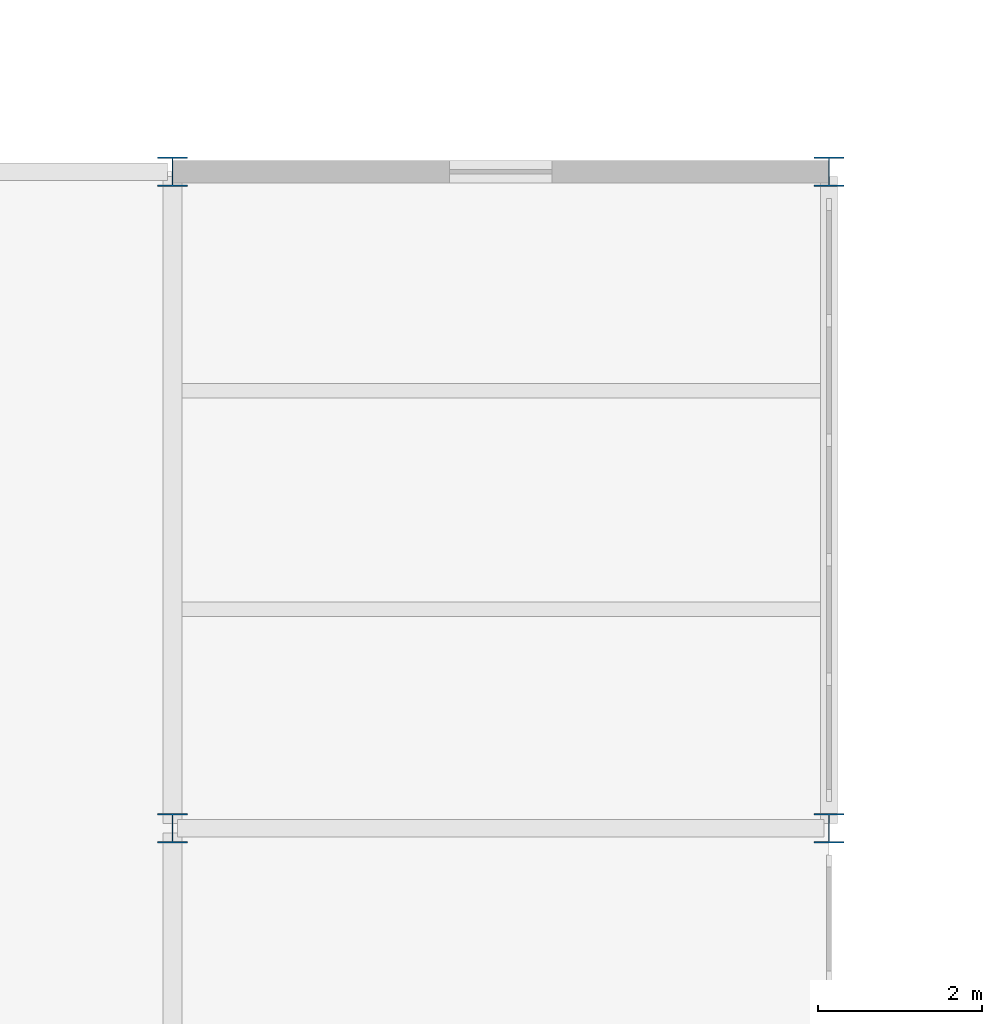
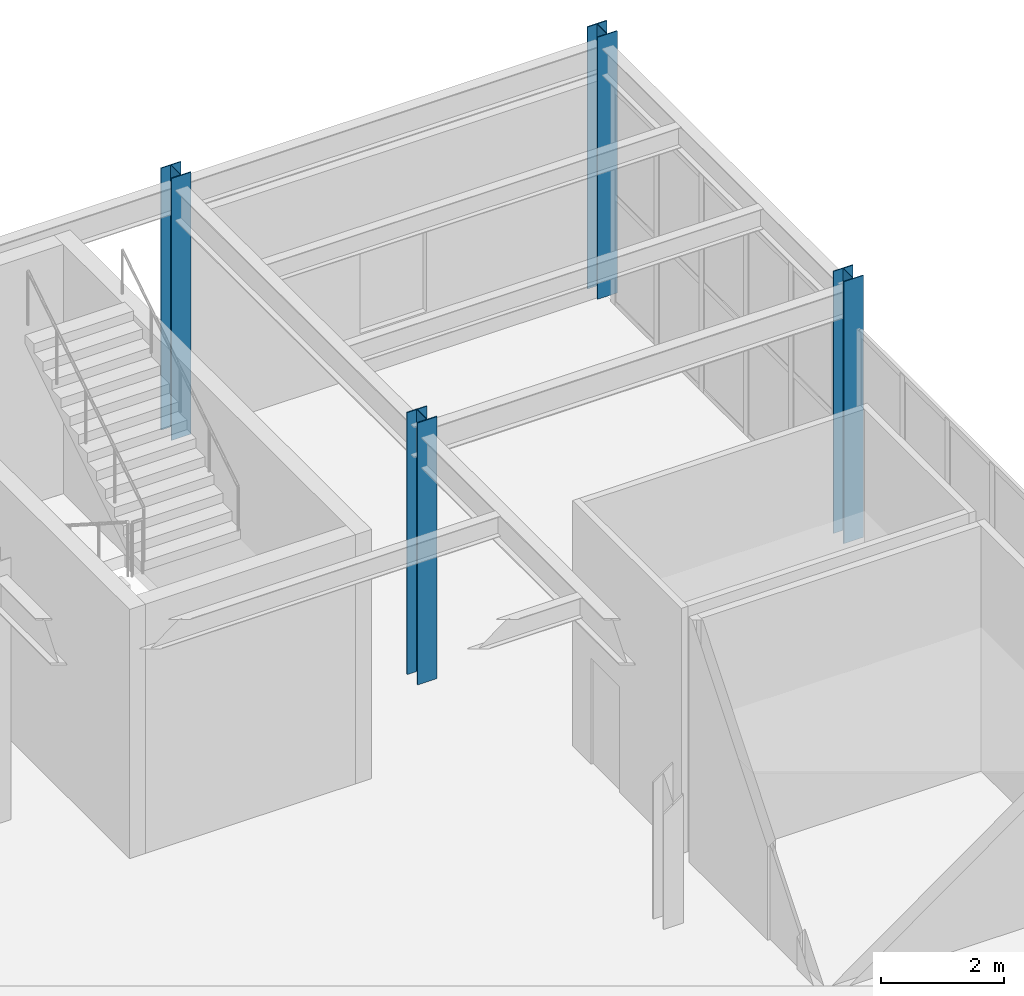
# One storey, part 19 of 77: 4 columns.
"""IFC4 building model written with IfcOpenShell, lengths in metres."""

from ifc_helpers import new_model, si_unit, direction, frame, origin, origin_2d, place, context, subcontext, project, spatial, i_section, extrude, material, material_profile, profile_set, type_object, element, save


model = new_model("IFC4")

# Units and contexts
model_context = context("Model", 3, precision=1e-05, world=origin(), true_north=direction((0.0, 1.0)))
body_context = subcontext(model_context, "Body", "Model", "MODEL_VIEW")
ifc_project = project(units=[si_unit("LENGTHUNIT", "METRE"), si_unit("AREAUNIT", "SQUARE_METRE"), si_unit("VOLUMEUNIT", "CUBIC_METRE"), si_unit("PLANEANGLEUNIT", "RADIAN"), si_unit("MASSUNIT", "GRAM", prefix="KILO")], contexts=[model_context])

# Site, building, storey
site_placement = place(None, origin())
site = spatial("IfcSite", under=ifc_project, at=site_placement, CompositionType="ELEMENT")
building_placement = place(site_placement, origin())
building = spatial("IfcBuilding", under=site, at=building_placement, Name="Drelvath Fold Interchange", CompositionType="ELEMENT")
storey_placement = place(building_placement, frame((0.0, 0.0, 6.0)))
storey = spatial("IfcBuildingStorey", under=building, at=storey_placement, Name="L01", CompositionType="ELEMENT", Elevation=6.0)

# Columns
ifc_material = material(Name="Steel ASTM A992 Grade 50", Category="steel")
ifc_material_profile = material_profile(ifc_material, i_section(OverallWidth=0.368896484375, OverallDepth=0.35595703125, WebThickness=0.01123046875, FlangeThickness=0.01806640625, at=origin_2d()), Name="W14X90")
ifc_profile_set = profile_set([ifc_material_profile], Name="Steel ASTM A992 Grade 50")
column_type = type_object("IfcColumnType", Name="COL-W14X90", PredefinedType="COLUMN", material=ifc_profile_set)
for number, where, z_axis, x_axis, name in (
    (1, (134.0, 99.0, 0.0), (0.0, 0.0, 1.0), (1.0, 0.0, 0.0), "L01 column (134,99)"),
    (2, (134.0, 107.0, 0.0), (0.0, 0.0, 1.0), (1.0, 0.0, 0.0), "L01 column (134,107)"),
    (3, (142.0, 99.0, 0.0), (0.0, 0.0, 1.0), (1.0, 0.0, 0.0), "L01 column (142,99)"),
    (4, (142.0, 107.0, 0.0), (0.0, 0.0, 1.0), (1.0, 0.0, 0.0), "L01 column (142,107)"),
):
    element("IfcColumn", number, at=place(storey_placement, frame(where, z_axis=z_axis, x_axis=x_axis)), inside=storey, type_object=column_type, Name=name, PredefinedType="COLUMN", context=body_context, shape_type="SweptSolid", body=[
        extrude(i_section(OverallWidth=0.368896484375, OverallDepth=0.35595703125, WebThickness=0.01123046875, FlangeThickness=0.01806640625, at=origin_2d()), origin(), (0.0, 0.0, 1.0), 5.199951171875),
    ])

save(model, "model.ifc")
